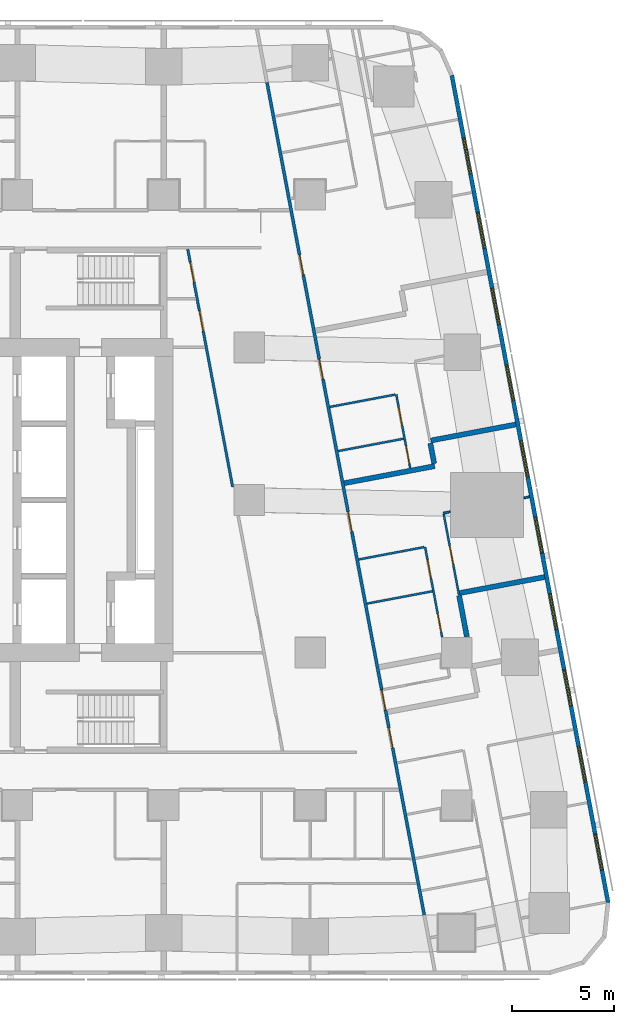
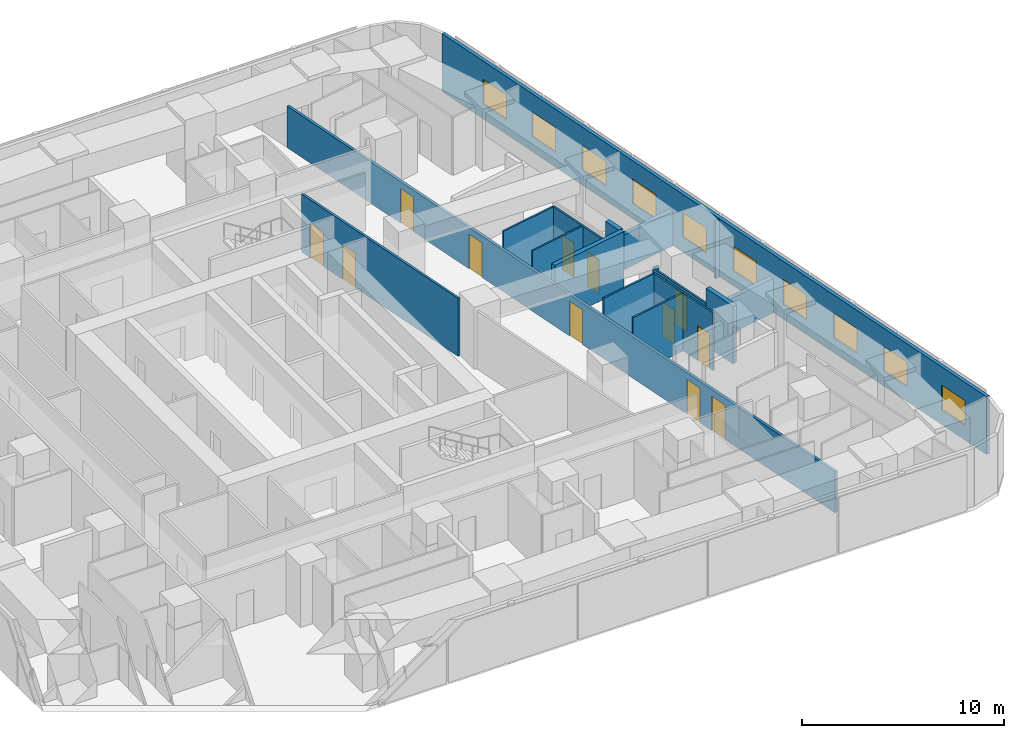
# One storey, part 7 of 15: 17 walls, 12 doors, 10 windows, 22 openings.
"""IFC4 building model written with IfcOpenShell, lengths in metres."""

from ifc_helpers import new_model, si_unit, direction, frame, frame_2d, origin, place, context, subcontext, project, spatial, rectangle, extrude, material, layer, layer_set, type_object, element, fill, save


model = new_model("IFC4")

# Units and contexts
model_context = context("Model", 3, precision=1e-05, world=origin(), true_north=direction((0.0, 1.0)))
body_context = subcontext(model_context, "Body", "Model", "MODEL_VIEW")
ifc_project = project(units=[si_unit("LENGTHUNIT", "METRE"), si_unit("AREAUNIT", "SQUARE_METRE"), si_unit("VOLUMEUNIT", "CUBIC_METRE"), si_unit("PLANEANGLEUNIT", "RADIAN"), si_unit("MASSUNIT", "GRAM", prefix="KILO")], contexts=[model_context])

# Site, building, storey
site_placement = place(None, origin())
site = spatial("IfcSite", under=ifc_project, at=site_placement, CompositionType="ELEMENT")
building_placement = place(site_placement, origin())
building = spatial("IfcBuilding", under=site, at=building_placement, Name="Sheger Commons Tower", CompositionType="ELEMENT")
storey_placement = place(building_placement, frame((0.0, 0.0, 173.300048828125)))
storey = spatial("IfcBuildingStorey", under=building, at=storey_placement, Name="L44", CompositionType="ELEMENT", Elevation=173.300048828125)

# Wall, openings, doors
ifc_material_1 = material(Name="Hollow concrete block masonry, skimmed both sides", Category="masonry")
ifc_layer_1 = layer(ifc_material_1, 0.14990234375)
ifc_layer_set_1 = layer_set([ifc_layer_1], Name="CORRIDOR WALL 150")
wall_type_1 = type_object("IfcWallType", Name="CORRIDOR WALL 150", PredefinedType="SOLIDWALL", material=ifc_layer_set_1)
wall_1_placement = place(storey_placement, frame((33.876953125, 43.029052734375, 0.0), z_axis=(0.0, 0.0, 1.0), x_axis=(0.185596841028, -0.98262597798, 0.0)))
wall_1 = element("IfcWall", 1, at=wall_1_placement, inside=storey, type_object=wall_type_1, Name="Corridor wall L44", PredefinedType="SOLIDWALL", context=body_context, shape_type="SweptSolid", body=[
    extrude(rectangle(XDim=41.659912109375, YDim=0.14990234375, at=frame_2d((20.830078125, 0.0))), origin(), (0.0, 0.0, 1.0), 2.5),
])
opening_1_placement = place(wall_1_placement, frame((8.6298828125, 0.0, 0.0)))
opening_1 = element("IfcOpeningElement", 2, at=opening_1_placement, cuts=wall_1, Name="Opening D1", PredefinedType="OPENING", context=body_context, shape_type="SweptSolid", body=[
    extrude(rectangle(XDim=1.0, YDim=2.10009765625, at=frame_2d((0.5, 1.050048828125))), frame((0.0, 0.0849609375, 0.0), z_axis=(0.0, -1.0, 0.0), x_axis=(1.0, 0.0, 0.0)), (0.0, 0.0, 1.0), 0.169921875),
])
opening_2_placement = place(wall_1_placement, frame((13.841064453125, 0.0, 0.0)))
opening_2 = element("IfcOpeningElement", 3, at=opening_2_placement, cuts=wall_1, Name="Opening D1", PredefinedType="OPENING", context=body_context, shape_type="SweptSolid", body=[
    extrude(rectangle(XDim=1.0, YDim=2.10009765625, at=frame_2d((0.5, 1.050048828125))), frame((0.0, 0.0849609375, 0.0), z_axis=(0.0, -1.0, 0.0), x_axis=(1.0, 0.0, 0.0)), (0.0, 0.0, 1.0), 0.169921875),
])
opening_3_placement = place(wall_1_placement, frame((21.47412109375, 0.0, 0.0)))
opening_3 = element("IfcOpeningElement", 4, at=opening_3_placement, cuts=wall_1, Name="Opening D1", PredefinedType="OPENING", context=body_context, shape_type="SweptSolid", body=[
    extrude(rectangle(XDim=1.0, YDim=2.10009765625, at=frame_2d((0.5, 1.050048828125))), frame((0.0, 0.0849609375, 0.0), z_axis=(0.0, -1.0, 0.0), x_axis=(1.0, 0.0, 0.0)), (0.0, 0.0, 1.0), 0.169921875),
])
opening_4_placement = place(wall_1_placement, frame((30.39990234375, 0.0, 0.0)))
opening_4 = element("IfcOpeningElement", 5, at=opening_4_placement, cuts=wall_1, Name="Opening D1", PredefinedType="OPENING", context=body_context, shape_type="SweptSolid", body=[
    extrude(rectangle(XDim=1.0, YDim=2.10009765625, at=frame_2d((0.5, 1.050048828125))), frame((0.0, 0.0849609375, 0.0), z_axis=(0.0, -1.0, 0.0), x_axis=(1.0, 0.0, 0.0)), (0.0, 0.0, 1.0), 0.169921875),
])
opening_5_placement = place(wall_1_placement, frame((32.2880859375, 0.0, 0.0)))
opening_5 = element("IfcOpeningElement", 6, at=opening_5_placement, cuts=wall_1, Name="Opening D1", PredefinedType="OPENING", context=body_context, shape_type="SweptSolid", body=[
    extrude(rectangle(XDim=1.0, YDim=2.10009765625, at=frame_2d((0.5, 1.050048828125))), frame((0.0, 0.0849609375, 0.0), z_axis=(0.0, -1.0, 0.0), x_axis=(1.0, 0.0, 0.0)), (0.0, 0.0, 1.0), 0.169921875),
])
ifc_material_2 = material(Name="Steel door set, fire rated", Category="steel")
door_type_1 = type_object("IfcDoorType", Name="FLAT ENTRANCE DOOR 1000x2100", OperationType="NOTDEFINED", PredefinedType="DOOR", material=ifc_material_2)
door_1_placement = place(opening_1_placement, origin())
door_1 = element("IfcDoor", 7, at=door_1_placement, inside=storey, type_object=door_type_1, Name="Flat entrance door", OperationType="SINGLE_SWING_RIGHT", OverallHeight=2.10009765625, OverallWidth=1.0, PredefinedType="DOOR", context=body_context, shape_type="SweptSolid", body=[
    extrude(rectangle(XDim=1.0, YDim=2.10009765625, at=frame_2d((0.5, 1.050048828125))), frame((0.0, 0.02490234375, 0.0), z_axis=(0.0, -1.0, 0.0), x_axis=(1.0, 0.0, 0.0)), (0.0, 0.0, 1.0), 0.050048828125),
])
fill(opening_1, door_1)
door_2_placement = place(opening_2_placement, origin())
door_2 = element("IfcDoor", 8, at=door_2_placement, inside=storey, type_object=door_type_1, Name="Flat entrance door", OperationType="SINGLE_SWING_RIGHT", OverallHeight=2.10009765625, OverallWidth=1.0, PredefinedType="DOOR", context=body_context, shape_type="SweptSolid", body=[
    extrude(rectangle(XDim=1.0, YDim=2.10009765625, at=frame_2d((0.5, 1.050048828125))), frame((0.0, 0.02490234375, 0.0), z_axis=(0.0, -1.0, 0.0), x_axis=(1.0, 0.0, 0.0)), (0.0, 0.0, 1.0), 0.050048828125),
])
fill(opening_2, door_2)
door_3_placement = place(opening_3_placement, origin())
door_3 = element("IfcDoor", 9, at=door_3_placement, inside=storey, type_object=door_type_1, Name="Flat entrance door", OperationType="SINGLE_SWING_RIGHT", OverallHeight=2.10009765625, OverallWidth=1.0, PredefinedType="DOOR", context=body_context, shape_type="SweptSolid", body=[
    extrude(rectangle(XDim=1.0, YDim=2.10009765625, at=frame_2d((0.5, 1.050048828125))), frame((0.0, 0.02490234375, 0.0), z_axis=(0.0, -1.0, 0.0), x_axis=(1.0, 0.0, 0.0)), (0.0, 0.0, 1.0), 0.050048828125),
])
fill(opening_3, door_3)
door_4_placement = place(opening_4_placement, origin())
door_4 = element("IfcDoor", 10, at=door_4_placement, inside=storey, type_object=door_type_1, Name="Flat entrance door", OperationType="SINGLE_SWING_LEFT", OverallHeight=2.10009765625, OverallWidth=1.0, PredefinedType="DOOR", context=body_context, shape_type="SweptSolid", body=[
    extrude(rectangle(XDim=1.0, YDim=2.10009765625, at=frame_2d((0.5, 1.050048828125))), frame((0.0, 0.02490234375, 0.0), z_axis=(0.0, -1.0, 0.0), x_axis=(1.0, 0.0, 0.0)), (0.0, 0.0, 1.0), 0.050048828125),
])
fill(opening_4, door_4)
door_5_placement = place(opening_5_placement, origin())
door_5 = element("IfcDoor", 11, at=door_5_placement, inside=storey, type_object=door_type_1, Name="Flat entrance door", OperationType="SINGLE_SWING_RIGHT", OverallHeight=2.10009765625, OverallWidth=1.0, PredefinedType="DOOR", context=body_context, shape_type="SweptSolid", body=[
    extrude(rectangle(XDim=1.0, YDim=2.10009765625, at=frame_2d((0.5, 1.050048828125))), frame((0.0, 0.02490234375, 0.0), z_axis=(0.0, -1.0, 0.0), x_axis=(1.0, 0.0, 0.0)), (0.0, 0.0, 1.0), 0.050048828125),
])
fill(opening_5, door_5)

# Walls
ifc_material_3 = material(Name="Dense concrete block masonry, plastered both sides (separating wall between flats)", Category="masonry")
ifc_layer_2 = layer(ifc_material_3, 0.25)
ifc_layer_set_2 = layer_set([ifc_layer_2], Name="DEMISING WALL 250")
wall_type_2 = type_object("IfcWallType", Name="DEMISING WALL 250", PredefinedType="SOLIDWALL", material=ifc_layer_set_2)
wall_2_placement = place(storey_placement, frame((46.110107421875, 26.212890625, 0.0), z_axis=(0.0, 0.0, 1.0), x_axis=(-0.982623519589, -0.185609856287, 0.0)))
element("IfcWall", 12, at=wall_2_placement, inside=storey, type_object=wall_type_2, Name="Demising wall L44", PredefinedType="SOLIDWALL", context=body_context, shape_type="SweptSolid", body=[
    extrude(rectangle(XDim=4.249755859375, YDim=0.25, at=frame_2d((2.125, 0.0))), origin(), (0.0, 0.0, 1.0), 2.099853515625),
])
wall_3_placement = place(storey_placement, frame((42.12109375, 24.166015625, 0.0), z_axis=(0.0, 0.0, 1.0), x_axis=(-0.982612837616, -0.185666398014, 0.0)))
element("IfcWall", 13, at=wall_3_placement, inside=storey, type_object=wall_type_2, Name="Demising wall L44", PredefinedType="SOLIDWALL", context=body_context, shape_type="SweptSolid", body=[
    extrude(rectangle(XDim=4.524658203125, YDim=0.25, at=frame_2d((2.26220703125, 0.0))), origin(), (0.0, 0.0, 1.0), 3.5),
])
wall_4_placement = place(storey_placement, frame((41.907958984375, 25.2919921875, 0.0), z_axis=(0.0, 0.0, 1.0), x_axis=(0.18607888991, -0.982534806879, 0.0)))
element("IfcWall", 14, at=wall_4_placement, inside=storey, type_object=wall_type_2, Name="Demising wall L44", PredefinedType="SOLIDWALL", context=body_context, shape_type="SweptSolid", body=[
    extrude(rectangle(XDim=1.020751953125, YDim=0.25, at=frame_2d((0.51025390625, 0.0))), origin(), (0.0, 0.0, 1.0), 3.5),
])
wall_5_placement = place(storey_placement, frame((47.527099609375, 18.7119140625, 0.0), z_axis=(0.0, 0.0, 1.0), x_axis=(-0.982665405803, -0.185387972203, 0.0)))
element("IfcWall", 15, at=wall_5_placement, inside=storey, type_object=wall_type_2, Name="Demising wall L44", PredefinedType="SOLIDWALL", context=body_context, shape_type="SweptSolid", body=[
    extrude(rectangle(XDim=4.249755859375, YDim=0.25, at=frame_2d((2.125, 0.0))), origin(), (0.0, 0.0, 1.0), 2.099853515625),
])
wall_6_placement = place(storey_placement, frame((43.324951171875, 17.7919921875, 0.0), z_axis=(0.0, 0.0, 1.0), x_axis=(0.185565963553, -0.982631809566, 0.0)))
element("IfcWall", 16, at=wall_6_placement, inside=storey, type_object=wall_type_2, Name="Demising wall L44", PredefinedType="SOLIDWALL", context=body_context, shape_type="SweptSolid", body=[
    extrude(rectangle(XDim=2.0537109375, YDim=0.25, at=frame_2d((1.02685546875, 0.0))), origin(), (0.0, 0.0, 1.0), 3.5),
])

# Wall, openings, windows
ifc_material_4 = material(Name="Rendered concrete block masonry, dark grey", Category="masonry")
ifc_layer_3 = layer(ifc_material_4, 0.199951171875)
ifc_layer_set_3 = layer_set([ifc_layer_3], Name="FACADE WALL 200")
wall_type_3 = type_object("IfcWallType", Name="FACADE WALL 200", PredefinedType="SOLIDWALL", material=ifc_layer_set_3)
wall_7_placement = place(storey_placement, frame((50.653076171875, 2.702880859375, 0.0), z_axis=(0.0, 0.0, 1.0), x_axis=(-0.185612026696, 0.982623109613, 0.0)))
wall_7 = element("IfcWall", 17, at=wall_7_placement, inside=storey, type_object=wall_type_3, Name="Facade wall L44", PredefinedType="SOLIDWALL", context=body_context, shape_type="SweptSolid", body=[
    extrude(rectangle(XDim=41.393310546875, YDim=0.199951171875, at=frame_2d((20.69677734375, 0.0))), origin(), (0.0, 0.0, 1.0), 3.5),
])
opening_6_placement = place(wall_7_placement, frame((1.633056640625, 0.0, 0.89990234375)))
opening_6 = element("IfcOpeningElement", 18, at=opening_6_placement, cuts=wall_7, Name="Opening W2", PredefinedType="OPENING", context=body_context, shape_type="SweptSolid", body=[
    extrude(rectangle(XDim=1.800048828125, YDim=1.5, at=frame_2d((0.89990234375, 0.75))), frame((0.0, 0.10986328125, 0.0), z_axis=(0.0, -1.0, 0.0), x_axis=(1.0, 0.0, 0.0)), (0.0, 0.0, 1.0), 0.219970703125),
])
opening_7_placement = place(wall_7_placement, frame((6.031982421875, 0.0, 0.89990234375)))
opening_7 = element("IfcOpeningElement", 19, at=opening_7_placement, cuts=wall_7, Name="Opening W2", PredefinedType="OPENING", context=body_context, shape_type="SweptSolid", body=[
    extrude(rectangle(XDim=1.800048828125, YDim=1.5, at=frame_2d((0.89990234375, 0.75))), frame((0.0, 0.10986328125, 0.0), z_axis=(0.0, -1.0, 0.0), x_axis=(1.0, 0.0, 0.0)), (0.0, 0.0, 1.0), 0.219970703125),
])
opening_8_placement = place(wall_7_placement, frame((9.847900390625, 0.0, 0.89990234375)))
opening_8 = element("IfcOpeningElement", 20, at=opening_8_placement, cuts=wall_7, Name="Opening W2", PredefinedType="OPENING", context=body_context, shape_type="SweptSolid", body=[
    extrude(rectangle(XDim=1.800048828125, YDim=1.5, at=frame_2d((0.89990234375, 0.75))), frame((0.0, 0.10986328125, 0.0), z_axis=(0.0, -1.0, 0.0), x_axis=(1.0, 0.0, 0.0)), (0.0, 0.0, 1.0), 0.219970703125),
])
opening_9_placement = place(wall_7_placement, frame((13.6640625, 0.0, 0.89990234375)))
opening_9 = element("IfcOpeningElement", 21, at=opening_9_placement, cuts=wall_7, Name="Opening W2", PredefinedType="OPENING", context=body_context, shape_type="SweptSolid", body=[
    extrude(rectangle(XDim=1.800048828125, YDim=1.5, at=frame_2d((0.89990234375, 0.75))), frame((0.0, 0.10986328125, 0.0), z_axis=(0.0, -1.0, 0.0), x_axis=(1.0, 0.0, 0.0)), (0.0, 0.0, 1.0), 0.219970703125),
])
opening_10_placement = place(wall_7_placement, frame((17.48095703125, 0.0, 0.89990234375)))
opening_10 = element("IfcOpeningElement", 22, at=opening_10_placement, cuts=wall_7, Name="Opening W2", PredefinedType="OPENING", context=body_context, shape_type="SweptSolid", body=[
    extrude(rectangle(XDim=1.800048828125, YDim=1.5, at=frame_2d((0.89990234375, 0.75))), frame((0.0, 0.10986328125, 0.0), z_axis=(0.0, -1.0, 0.0), x_axis=(1.0, 0.0, 0.0)), (0.0, 0.0, 1.0), 0.219970703125),
])
opening_11_placement = place(wall_7_placement, frame((21.297119140625, 0.0, 0.89990234375)))
opening_11 = element("IfcOpeningElement", 23, at=opening_11_placement, cuts=wall_7, Name="Opening W2", PredefinedType="OPENING", context=body_context, shape_type="SweptSolid", body=[
    extrude(rectangle(XDim=1.800048828125, YDim=1.5, at=frame_2d((0.89990234375, 0.75))), frame((0.0, 0.10986328125, 0.0), z_axis=(0.0, -1.0, 0.0), x_axis=(1.0, 0.0, 0.0)), (0.0, 0.0, 1.0), 0.219970703125),
])
opening_12_placement = place(wall_7_placement, frame((25.113037109375, 0.0, 0.89990234375)))
opening_12 = element("IfcOpeningElement", 24, at=opening_12_placement, cuts=wall_7, Name="Opening W2", PredefinedType="OPENING", context=body_context, shape_type="SweptSolid", body=[
    extrude(rectangle(XDim=1.800048828125, YDim=1.5, at=frame_2d((0.89990234375, 0.75))), frame((0.0, 0.10986328125, 0.0), z_axis=(0.0, -1.0, 0.0), x_axis=(1.0, 0.0, 0.0)), (0.0, 0.0, 1.0), 0.219970703125),
])
opening_13_placement = place(wall_7_placement, frame((28.929931640625, 0.0, 0.89990234375)))
opening_13 = element("IfcOpeningElement", 25, at=opening_13_placement, cuts=wall_7, Name="Opening W2", PredefinedType="OPENING", context=body_context, shape_type="SweptSolid", body=[
    extrude(rectangle(XDim=1.800048828125, YDim=1.5, at=frame_2d((0.89990234375, 0.75))), frame((0.0, 0.10986328125, 0.0), z_axis=(0.0, -1.0, 0.0), x_axis=(1.0, 0.0, 0.0)), (0.0, 0.0, 1.0), 0.219970703125),
])
opening_14_placement = place(wall_7_placement, frame((32.74609375, 0.0, 0.89990234375)))
opening_14 = element("IfcOpeningElement", 26, at=opening_14_placement, cuts=wall_7, Name="Opening W2", PredefinedType="OPENING", context=body_context, shape_type="SweptSolid", body=[
    extrude(rectangle(XDim=1.800048828125, YDim=1.5, at=frame_2d((0.89990234375, 0.75))), frame((0.0, 0.10986328125, 0.0), z_axis=(0.0, -1.0, 0.0), x_axis=(1.0, 0.0, 0.0)), (0.0, 0.0, 1.0), 0.219970703125),
])
opening_15_placement = place(wall_7_placement, frame((36.48095703125, 0.0, 0.89990234375)))
opening_15 = element("IfcOpeningElement", 27, at=opening_15_placement, cuts=wall_7, Name="Opening W2", PredefinedType="OPENING", context=body_context, shape_type="SweptSolid", body=[
    extrude(rectangle(XDim=1.800048828125, YDim=1.5, at=frame_2d((0.89990234375, 0.75))), frame((0.0, 0.10986328125, 0.0), z_axis=(0.0, -1.0, 0.0), x_axis=(1.0, 0.0, 0.0)), (0.0, 0.0, 1.0), 0.219970703125),
])
ifc_material_5 = material(Name="Black aluminium frame, dark tinted double glazing", Category="aluminium")
window_type = type_object("IfcWindowType", Name="WINDOW W2 1800x1500", PartitioningType="SINGLE_PANEL", PredefinedType="WINDOW", material=ifc_material_5)
window_1_placement = place(opening_6_placement, origin())
window_1 = element("IfcWindow", 28, at=window_1_placement, inside=storey, type_object=window_type, Name="Window W2 1800X1500", OverallHeight=1.5, OverallWidth=1.800048828125, PartitioningType="SINGLE_PANEL", PredefinedType="WINDOW", context=body_context, shape_type="SweptSolid", body=[
    extrude(rectangle(XDim=1.800048828125, YDim=1.5, at=frame_2d((0.89990234375, 0.75))), frame((0.0, 0.030029296875, 0.0), z_axis=(0.0, -1.0, 0.0), x_axis=(1.0, 0.0, 0.0)), (0.0, 0.0, 1.0), 0.06005859375),
])
fill(opening_6, window_1)
window_2_placement = place(opening_7_placement, origin())
window_2 = element("IfcWindow", 29, at=window_2_placement, inside=storey, type_object=window_type, Name="Window W2 1800X1500", OverallHeight=1.5, OverallWidth=1.800048828125, PartitioningType="SINGLE_PANEL", PredefinedType="WINDOW", context=body_context, shape_type="SweptSolid", body=[
    extrude(rectangle(XDim=1.800048828125, YDim=1.5, at=frame_2d((0.89990234375, 0.75))), frame((0.0, 0.030029296875, 0.0), z_axis=(0.0, -1.0, 0.0), x_axis=(1.0, 0.0, 0.0)), (0.0, 0.0, 1.0), 0.06005859375),
])
fill(opening_7, window_2)
window_3_placement = place(opening_8_placement, origin())
window_3 = element("IfcWindow", 30, at=window_3_placement, inside=storey, type_object=window_type, Name="Window W2 1800X1500", OverallHeight=1.5, OverallWidth=1.800048828125, PartitioningType="SINGLE_PANEL", PredefinedType="WINDOW", context=body_context, shape_type="SweptSolid", body=[
    extrude(rectangle(XDim=1.800048828125, YDim=1.5, at=frame_2d((0.89990234375, 0.75))), frame((0.0, 0.030029296875, 0.0), z_axis=(0.0, -1.0, 0.0), x_axis=(1.0, 0.0, 0.0)), (0.0, 0.0, 1.0), 0.06005859375),
])
fill(opening_8, window_3)
window_4_placement = place(opening_9_placement, origin())
window_4 = element("IfcWindow", 31, at=window_4_placement, inside=storey, type_object=window_type, Name="Window W2 1800X1500", OverallHeight=1.5, OverallWidth=1.800048828125, PartitioningType="SINGLE_PANEL", PredefinedType="WINDOW", context=body_context, shape_type="SweptSolid", body=[
    extrude(rectangle(XDim=1.800048828125, YDim=1.5, at=frame_2d((0.89990234375, 0.75))), frame((0.0, 0.030029296875, 0.0), z_axis=(0.0, -1.0, 0.0), x_axis=(1.0, 0.0, 0.0)), (0.0, 0.0, 1.0), 0.06005859375),
])
fill(opening_9, window_4)
window_5_placement = place(opening_10_placement, origin())
window_5 = element("IfcWindow", 32, at=window_5_placement, inside=storey, type_object=window_type, Name="Window W2 1800X1500", OverallHeight=1.5, OverallWidth=1.800048828125, PartitioningType="SINGLE_PANEL", PredefinedType="WINDOW", context=body_context, shape_type="SweptSolid", body=[
    extrude(rectangle(XDim=1.800048828125, YDim=1.5, at=frame_2d((0.89990234375, 0.75))), frame((0.0, 0.030029296875, 0.0), z_axis=(0.0, -1.0, 0.0), x_axis=(1.0, 0.0, 0.0)), (0.0, 0.0, 1.0), 0.06005859375),
])
fill(opening_10, window_5)
window_6_placement = place(opening_11_placement, origin())
window_6 = element("IfcWindow", 33, at=window_6_placement, inside=storey, type_object=window_type, Name="Window W2 1800X1500", OverallHeight=1.5, OverallWidth=1.800048828125, PartitioningType="SINGLE_PANEL", PredefinedType="WINDOW", context=body_context, shape_type="SweptSolid", body=[
    extrude(rectangle(XDim=1.800048828125, YDim=1.5, at=frame_2d((0.89990234375, 0.75))), frame((0.0, 0.030029296875, 0.0), z_axis=(0.0, -1.0, 0.0), x_axis=(1.0, 0.0, 0.0)), (0.0, 0.0, 1.0), 0.06005859375),
])
fill(opening_11, window_6)
window_7_placement = place(opening_12_placement, origin())
window_7 = element("IfcWindow", 34, at=window_7_placement, inside=storey, type_object=window_type, Name="Window W2 1800X1500", OverallHeight=1.5, OverallWidth=1.800048828125, PartitioningType="SINGLE_PANEL", PredefinedType="WINDOW", context=body_context, shape_type="SweptSolid", body=[
    extrude(rectangle(XDim=1.800048828125, YDim=1.5, at=frame_2d((0.89990234375, 0.75))), frame((0.0, 0.030029296875, 0.0), z_axis=(0.0, -1.0, 0.0), x_axis=(1.0, 0.0, 0.0)), (0.0, 0.0, 1.0), 0.06005859375),
])
fill(opening_12, window_7)
window_8_placement = place(opening_13_placement, origin())
window_8 = element("IfcWindow", 35, at=window_8_placement, inside=storey, type_object=window_type, Name="Window W2 1800X1500", OverallHeight=1.5, OverallWidth=1.800048828125, PartitioningType="SINGLE_PANEL", PredefinedType="WINDOW", context=body_context, shape_type="SweptSolid", body=[
    extrude(rectangle(XDim=1.800048828125, YDim=1.5, at=frame_2d((0.89990234375, 0.75))), frame((0.0, 0.030029296875, 0.0), z_axis=(0.0, -1.0, 0.0), x_axis=(1.0, 0.0, 0.0)), (0.0, 0.0, 1.0), 0.06005859375),
])
fill(opening_13, window_8)
window_9_placement = place(opening_14_placement, origin())
window_9 = element("IfcWindow", 36, at=window_9_placement, inside=storey, type_object=window_type, Name="Window W2 1800X1500", OverallHeight=1.5, OverallWidth=1.800048828125, PartitioningType="SINGLE_PANEL", PredefinedType="WINDOW", context=body_context, shape_type="SweptSolid", body=[
    extrude(rectangle(XDim=1.800048828125, YDim=1.5, at=frame_2d((0.89990234375, 0.75))), frame((0.0, 0.030029296875, 0.0), z_axis=(0.0, -1.0, 0.0), x_axis=(1.0, 0.0, 0.0)), (0.0, 0.0, 1.0), 0.06005859375),
])
fill(opening_14, window_9)
window_10_placement = place(opening_15_placement, origin())
window_10 = element("IfcWindow", 37, at=window_10_placement, inside=storey, type_object=window_type, Name="Window W2 1800X1500", OverallHeight=1.5, OverallWidth=1.800048828125, PartitioningType="SINGLE_PANEL", PredefinedType="WINDOW", context=body_context, shape_type="SweptSolid", body=[
    extrude(rectangle(XDim=1.800048828125, YDim=1.5, at=frame_2d((0.89990234375, 0.75))), frame((0.0, 0.030029296875, 0.0), z_axis=(0.0, -1.0, 0.0), x_axis=(1.0, 0.0, 0.0)), (0.0, 0.0, 1.0), 0.06005859375),
])
fill(opening_15, window_10)

# Wall, openings, doors
ifc_material_6 = material(Name="Gypsum board on steel studs", Category="steel")
ifc_layer_4 = layer(ifc_material_6, 0.10009765625)
ifc_layer_set_4 = layer_set([ifc_layer_4], Name="PARTITION 100")
wall_type_4 = type_object("IfcWallType", Name="PARTITION 100", PredefinedType="PARTITIONING", material=ifc_layer_set_4)
wall_8_placement = place(storey_placement, frame((40.23291015625, 27.693115234375, 0.0), z_axis=(0.0, 0.0, 1.0), x_axis=(0.185632361754, -0.982619268216, 0.0)))
wall_8 = element("IfcWall", 38, at=wall_8_placement, inside=storey, type_object=wall_type_4, Name="Partition L44", PredefinedType="PARTITIONING", context=body_context, shape_type="SweptSolid", body=[
    extrude(rectangle(XDim=3.68505859375, YDim=0.10009765625, at=frame_2d((1.842529296875, 0.0))), origin(), (0.0, 0.0, 1.0), 3.5),
])
opening_16_placement = place(wall_8_placement, frame((0.655029296875, 0.0, 0.0)))
opening_16 = element("IfcOpeningElement", 39, at=opening_16_placement, cuts=wall_8, Name="Opening D2", PredefinedType="OPENING", context=body_context, shape_type="SweptSolid", body=[
    extrude(rectangle(XDim=0.89990234375, YDim=2.10009765625, at=frame_2d((0.449951171875, 1.050048828125))), frame((0.0, 0.06005859375, 0.0), z_axis=(0.0, -1.0, 0.0), x_axis=(1.0, 0.0, 0.0)), (0.0, 0.0, 1.0), 0.1201171875),
])
opening_17_placement = place(wall_8_placement, frame((2.56298828125, 0.0, 0.0)))
opening_17 = element("IfcOpeningElement", 40, at=opening_17_placement, cuts=wall_8, Name="Opening D2", PredefinedType="OPENING", context=body_context, shape_type="SweptSolid", body=[
    extrude(rectangle(XDim=0.89990234375, YDim=2.10009765625, at=frame_2d((0.449951171875, 1.050048828125))), frame((0.0, 0.06005859375, 0.0), z_axis=(0.0, -1.0, 0.0), x_axis=(1.0, 0.0, 0.0)), (0.0, 0.0, 1.0), 0.1201171875),
])
ifc_material_7 = material(Name="Timber door set", Category="wood")
door_type_2 = type_object("IfcDoorType", Name="INTERNAL DOOR 900x2100", OperationType="NOTDEFINED", PredefinedType="DOOR", material=ifc_material_7)
door_6_placement = place(opening_16_placement, origin())
door_6 = element("IfcDoor", 41, at=door_6_placement, inside=storey, type_object=door_type_2, Name="Bathroom door", OperationType="SINGLE_SWING_RIGHT", OverallHeight=2.10009765625, OverallWidth=0.89990234375, PredefinedType="DOOR", context=body_context, shape_type="SweptSolid", body=[
    extrude(rectangle(XDim=0.89990234375, YDim=2.10009765625, at=frame_2d((0.449951171875, 1.050048828125))), frame((0.0, 0.02490234375, 0.0), z_axis=(0.0, -1.0, 0.0), x_axis=(1.0, 0.0, 0.0)), (0.0, 0.0, 1.0), 0.050048828125),
])
fill(opening_16, door_6)
door_7_placement = place(opening_17_placement, origin())
door_7 = element("IfcDoor", 42, at=door_7_placement, inside=storey, type_object=door_type_2, Name="Store door", OperationType="SINGLE_SWING_LEFT", OverallHeight=2.10009765625, OverallWidth=0.89990234375, PredefinedType="DOOR", context=body_context, shape_type="SweptSolid", body=[
    extrude(rectangle(XDim=0.89990234375, YDim=2.10009765625, at=frame_2d((0.449951171875, 1.050048828125))), frame((0.0, 0.02490234375, 0.0), z_axis=(0.0, -1.0, 0.0), x_axis=(1.0, 0.0, 0.0)), (0.0, 0.0, 1.0), 0.050048828125),
])
fill(opening_17, door_7)

# Walls
for number, where, z_axis, x_axis, name in (
    (43, (40.18408203125, 27.68408203125, 0.0), (0.0, 0.0, 1.0), (-0.982596739811, -0.18575157311, 0.0), "Partition L44"),
    (44, (40.593994140625, 25.511962890625, 0.0), (0.0, 0.0, 1.0), (-0.982610347627, -0.185679575441, 0.0), "Partition L44"),
):
    element("IfcWall", number, at=place(storey_placement, frame(where, z_axis=z_axis, x_axis=x_axis)), inside=storey, type_object=wall_type_4, Name=name, PredefinedType="PARTITIONING", context=body_context, shape_type="SweptSolid", body=[
        extrude(rectangle(XDim=3.27392578125, YDim=0.10009765625, at=frame_2d((1.636962890625, 0.0))), origin(), (0.0, 0.0, 1.0), 3.5),
    ])

# Wall, opening, door
wall_9_placement = place(storey_placement, frame((42.56494140625, 21.80908203125, 0.0), z_axis=(0.0, 0.0, 1.0), x_axis=(0.185910488551, -0.982566684885, 0.0)))
wall_9 = element("IfcWall", 45, at=wall_9_placement, inside=storey, type_object=wall_type_4, Name="Partition L44", PredefinedType="PARTITIONING", context=body_context, shape_type="SweptSolid", body=[
    extrude(rectangle(XDim=4.061767578125, YDim=0.10009765625, at=frame_2d((2.03076171875, 0.0))), origin(), (0.0, 0.0, 1.0), 2.5),
])
opening_18_placement = place(wall_9_placement, frame((1.617919921875, 0.0, 0.0)))
opening_18 = element("IfcOpeningElement", 46, at=opening_18_placement, cuts=wall_9, Name="Opening D2", PredefinedType="OPENING", context=body_context, shape_type="SweptSolid", body=[
    extrude(rectangle(XDim=0.89990234375, YDim=2.10009765625, at=frame_2d((0.449951171875, 1.050048828125))), frame((0.0, 0.06005859375, 0.0), z_axis=(0.0, -1.0, 0.0), x_axis=(1.0, 0.0, 0.0)), (0.0, 0.0, 1.0), 0.1201171875),
])
door_8_placement = place(opening_18_placement, origin())
door_8 = element("IfcDoor", 47, at=door_8_placement, inside=storey, type_object=door_type_2, Name="Main bedroom door", OperationType="SINGLE_SWING_RIGHT", OverallHeight=2.10009765625, OverallWidth=0.89990234375, PredefinedType="DOOR", context=body_context, shape_type="SweptSolid", body=[
    extrude(rectangle(XDim=0.89990234375, YDim=2.10009765625, at=frame_2d((0.449951171875, 1.050048828125))), frame((0.0, 0.02490234375, 0.0), z_axis=(0.0, -1.0, 0.0), x_axis=(1.0, 0.0, 0.0)), (0.0, 0.0, 1.0), 0.050048828125),
])
fill(opening_18, door_8)

# Wall, openings, doors
wall_10_placement = place(storey_placement, frame((41.64990234375, 20.193115234375, 0.0), z_axis=(0.0, 0.0, 1.0), x_axis=(0.185692658583, -0.982607875273, 0.0)))
wall_10 = element("IfcWall", 48, at=wall_10_placement, inside=storey, type_object=wall_type_4, Name="Partition L44", PredefinedType="PARTITIONING", context=body_context, shape_type="SweptSolid", body=[
    extrude(rectangle(XDim=4.513671875, YDim=0.10009765625, at=frame_2d((2.2568359375, 0.0))), origin(), (0.0, 0.0, 1.0), 3.5),
])
opening_19_placement = place(wall_10_placement, frame((0.655029296875, 0.0, 0.0)))
opening_19 = element("IfcOpeningElement", 49, at=opening_19_placement, cuts=wall_10, Name="Opening D2", PredefinedType="OPENING", context=body_context, shape_type="SweptSolid", body=[
    extrude(rectangle(XDim=0.89990234375, YDim=2.10009765625, at=frame_2d((0.449951171875, 1.050048828125))), frame((0.0, 0.06005859375, 0.0), z_axis=(0.0, -1.0, 0.0), x_axis=(1.0, 0.0, 0.0)), (0.0, 0.0, 1.0), 0.1201171875),
])
opening_20_placement = place(wall_10_placement, frame((3.35009765625, 0.0, 0.0)))
opening_20 = element("IfcOpeningElement", 50, at=opening_20_placement, cuts=wall_10, Name="Opening D2", PredefinedType="OPENING", context=body_context, shape_type="SweptSolid", body=[
    extrude(rectangle(XDim=0.89990234375, YDim=2.10009765625, at=frame_2d((0.449951171875, 1.050048828125))), frame((0.0, 0.06005859375, 0.0), z_axis=(0.0, -1.0, 0.0), x_axis=(1.0, 0.0, 0.0)), (0.0, 0.0, 1.0), 0.1201171875),
])
door_9_placement = place(opening_19_placement, origin())
door_9 = element("IfcDoor", 51, at=door_9_placement, inside=storey, type_object=door_type_2, Name="Bathroom door", OperationType="SINGLE_SWING_RIGHT", OverallHeight=2.10009765625, OverallWidth=0.89990234375, PredefinedType="DOOR", context=body_context, shape_type="SweptSolid", body=[
    extrude(rectangle(XDim=0.89990234375, YDim=2.10009765625, at=frame_2d((0.449951171875, 1.050048828125))), frame((0.0, 0.02490234375, 0.0), z_axis=(0.0, -1.0, 0.0), x_axis=(1.0, 0.0, 0.0)), (0.0, 0.0, 1.0), 0.050048828125),
])
fill(opening_19, door_9)
door_10_placement = place(opening_20_placement, origin())
door_10 = element("IfcDoor", 52, at=door_10_placement, inside=storey, type_object=door_type_2, Name="Store door", OperationType="SINGLE_SWING_LEFT", OverallHeight=2.10009765625, OverallWidth=0.89990234375, PredefinedType="DOOR", context=body_context, shape_type="SweptSolid", body=[
    extrude(rectangle(XDim=0.89990234375, YDim=2.10009765625, at=frame_2d((0.449951171875, 1.050048828125))), frame((0.0, 0.02490234375, 0.0), z_axis=(0.0, -1.0, 0.0), x_axis=(1.0, 0.0, 0.0)), (0.0, 0.0, 1.0), 0.050048828125),
])
fill(opening_20, door_10)

# Walls
wall_11_placement = place(storey_placement, frame((46.781982421875, 22.656982421875, 0.0), z_axis=(0.0, 0.0, 1.0), x_axis=(-0.982574553168, -0.185868898601, 0.0)))
element("IfcWall", 53, at=wall_11_placement, inside=storey, type_object=wall_type_4, Name="Partition L44", PredefinedType="PARTITIONING", context=body_context, shape_type="SweptSolid", body=[
    extrude(rectangle(XDim=0.27978515625, YDim=0.10009765625, at=frame_2d((0.139892578125, 0.0))), origin(), (0.0, 0.0, 1.0), 3.5),
])
wall_12_placement = place(storey_placement, frame((42.886962890625, 21.9208984375, 0.0), z_axis=(0.0, 0.0, 1.0), x_axis=(-0.982274918032, -0.187445953293, 0.0)))
element("IfcWall", 54, at=wall_12_placement, inside=storey, type_object=wall_type_4, Name="Partition L44", PredefinedType="PARTITIONING", context=body_context, shape_type="SweptSolid", body=[
    extrude(rectangle(XDim=0.3359375, YDim=0.10009765625, at=frame_2d((0.16796875, 0.0))), origin(), (0.0, 0.0, 1.0), 2.5),
])
wall_13_placement = place(storey_placement, frame((41.60107421875, 20.18408203125, 0.0), z_axis=(0.0, 0.0, 1.0), x_axis=(-0.982607026909, -0.185697147715, 0.0)))
element("IfcWall", 55, at=wall_13_placement, inside=storey, type_object=wall_type_4, Name="Partition L44", PredefinedType="PARTITIONING", context=body_context, shape_type="SweptSolid", body=[
    extrude(rectangle(XDim=3.27490234375, YDim=0.10009765625, at=frame_2d((1.637451171875, 0.0))), origin(), (0.0, 0.0, 1.0), 3.5),
])
wall_14_placement = place(storey_placement, frame((42.010986328125, 18.011962890625, 0.0), z_axis=(0.0, 0.0, 1.0), x_axis=(-0.982674977865, -0.185337227447, 0.0)))
element("IfcWall", 56, at=wall_14_placement, inside=storey, type_object=wall_type_4, Name="Partition L44", PredefinedType="PARTITIONING", context=body_context, shape_type="SweptSolid", body=[
    extrude(rectangle(XDim=3.274658203125, YDim=0.10009765625, at=frame_2d((1.63720703125, 0.0))), origin(), (0.0, 0.0, 1.0), 3.5),
])

# Wall, openings, doors
ifc_material_8 = material(Name="Gypsum board on steel studs, two layers each side, fire rated", Category="steel")
ifc_layer_5 = layer(ifc_material_8, 0.125)
ifc_layer_set_5 = layer_set([ifc_layer_5], Name="SERVICE WALL 125")
wall_type_5 = type_object("IfcWallType", Name="SERVICE WALL 125", PredefinedType="PARTITIONING", material=ifc_layer_set_5)
wall_15_placement = place(storey_placement, frame((32.18798828125, 23.14111328125, 0.0), z_axis=(0.0, 0.0, 1.0), x_axis=(-0.185598625075, 0.98262564101, 0.0)))
wall_15 = element("IfcWall", 57, at=wall_15_placement, inside=storey, type_object=wall_type_5, Name="Service room wall L44", PredefinedType="PARTITIONING", context=body_context, shape_type="SweptSolid", body=[
    extrude(rectangle(XDim=11.891357421875, YDim=0.125, at=frame_2d((5.94580078125, 0.0))), origin(), (0.0, 0.0, 1.0), 3.5),
])
opening_21_placement = place(wall_15_placement, frame((7.802978515625, 0.0, 0.0)))
opening_21 = element("IfcOpeningElement", 58, at=opening_21_placement, cuts=wall_15, Name="Opening D4", PredefinedType="OPENING", context=body_context, shape_type="SweptSolid", body=[
    extrude(rectangle(XDim=1.0, YDim=2.10009765625, at=frame_2d((0.5, 1.050048828125))), frame((0.0, 0.072509765625, 0.0), z_axis=(0.0, -1.0, 0.0), x_axis=(1.0, 0.0, 0.0)), (0.0, 0.0, 1.0), 0.14501953125),
])
opening_22_placement = place(wall_15_placement, frame((10.24609375, 0.0, 0.0)))
opening_22 = element("IfcOpeningElement", 59, at=opening_22_placement, cuts=wall_15, Name="Opening D4", PredefinedType="OPENING", context=body_context, shape_type="SweptSolid", body=[
    extrude(rectangle(XDim=1.0, YDim=2.10009765625, at=frame_2d((0.5, 1.050048828125))), frame((0.0, 0.072509765625, 0.0), z_axis=(0.0, -1.0, 0.0), x_axis=(1.0, 0.0, 0.0)), (0.0, 0.0, 1.0), 0.14501953125),
])
ifc_material_9 = material(Name="Steel door set, fire rated", Category="steel")
door_type_3 = type_object("IfcDoorType", Name="SERVICE DOOR 1000x2100", OperationType="NOTDEFINED", PredefinedType="DOOR", material=ifc_material_9)
door_11_placement = place(opening_21_placement, origin())
door_11 = element("IfcDoor", 60, at=door_11_placement, inside=storey, type_object=door_type_3, Name="Linen store door", OperationType="SINGLE_SWING_RIGHT", OverallHeight=2.10009765625, OverallWidth=1.0, PredefinedType="DOOR", context=body_context, shape_type="SweptSolid", body=[
    extrude(rectangle(XDim=1.0, YDim=2.10009765625, at=frame_2d((0.5, 1.050048828125))), frame((0.0, 0.02490234375, 0.0), z_axis=(0.0, -1.0, 0.0), x_axis=(1.0, 0.0, 0.0)), (0.0, 0.0, 1.0), 0.050048828125),
])
fill(opening_21, door_11)
door_12_placement = place(opening_22_placement, origin())
door_12 = element("IfcDoor", 61, at=door_12_placement, inside=storey, type_object=door_type_3, Name="Cleaner's store door", OperationType="SINGLE_SWING_RIGHT", OverallHeight=2.10009765625, OverallWidth=1.0, PredefinedType="DOOR", context=body_context, shape_type="SweptSolid", body=[
    extrude(rectangle(XDim=1.0, YDim=2.10009765625, at=frame_2d((0.5, 1.050048828125))), frame((0.0, 0.02490234375, 0.0), z_axis=(0.0, -1.0, 0.0), x_axis=(1.0, 0.0, 0.0)), (0.0, 0.0, 1.0), 0.050048828125),
])
fill(opening_22, door_12)

save(model, "model.ifc")
